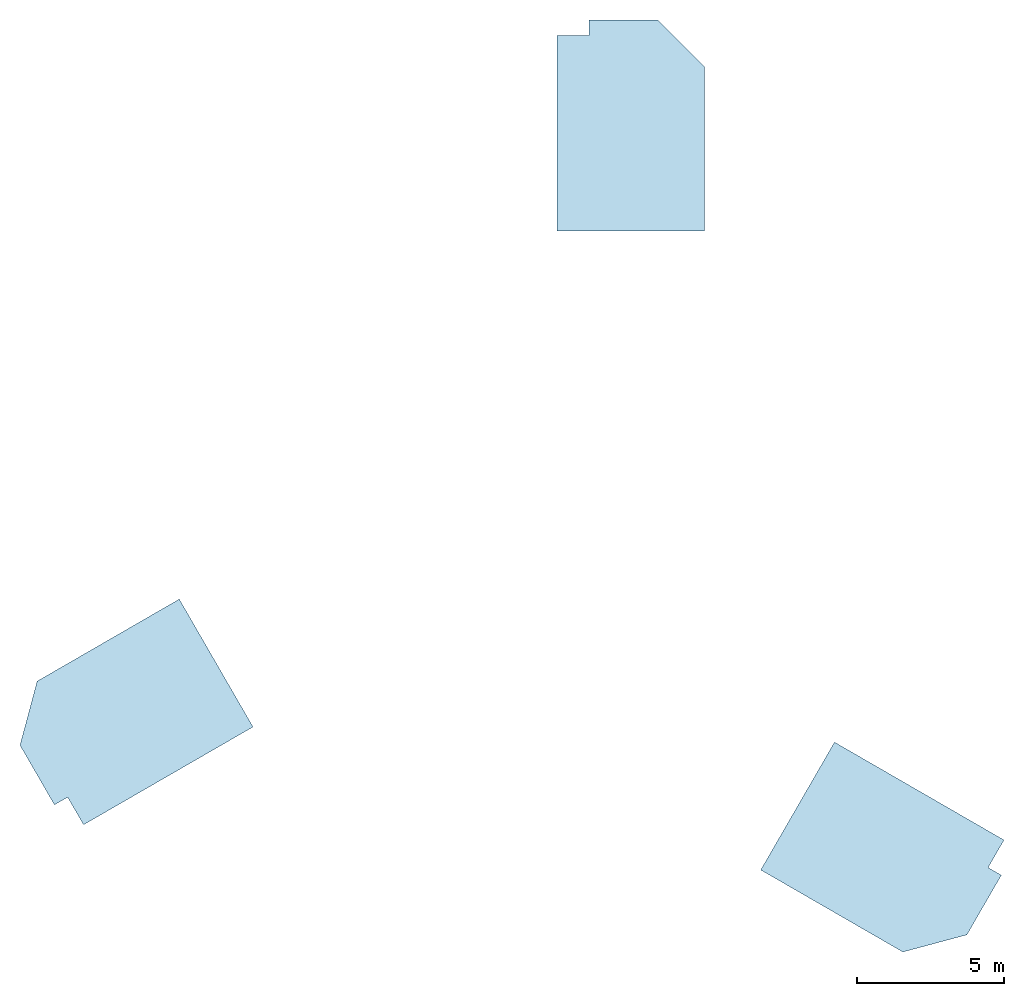
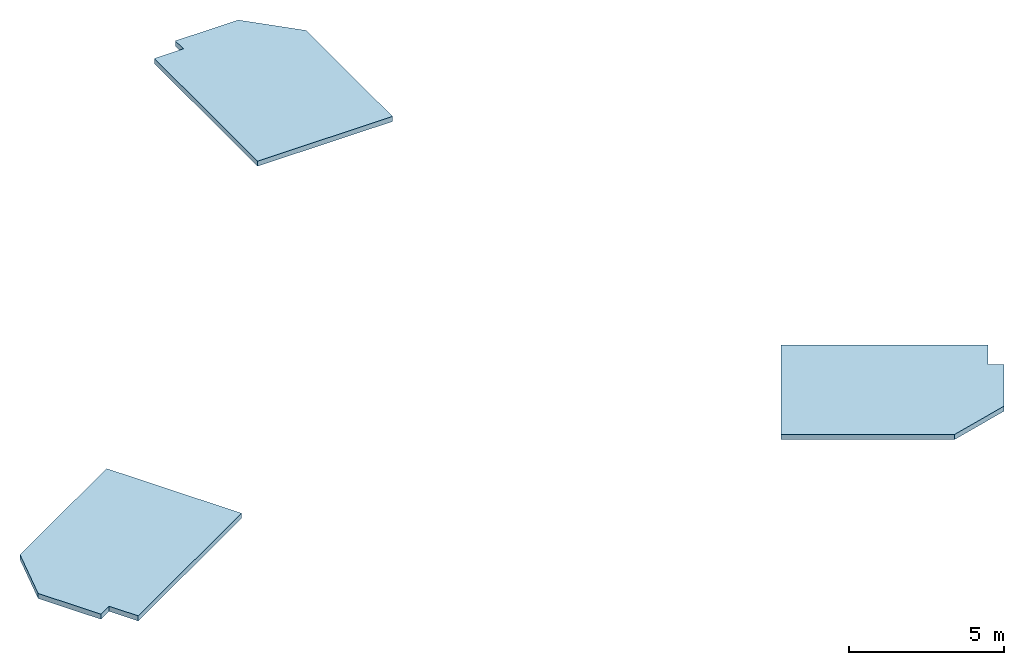
# One storey: 3 slabs.
"""IFC4 building model written with IfcOpenShell, lengths in metres."""

from ifc_helpers import new_model, si_unit, direction, frame, origin, place, context, subcontext, project, spatial, polyline, outline, extrude, material, layer, layer_set, type_object, element, save


model = new_model("IFC4")

# Units and contexts
model_context = context("Model", 3, precision=1e-05, world=origin(), true_north=direction((0.0, 1.0)))
body_context = subcontext(model_context, "Body", "Model", "MODEL_VIEW")
ifc_project = project(units=[si_unit("LENGTHUNIT", "METRE"), si_unit("AREAUNIT", "SQUARE_METRE"), si_unit("VOLUMEUNIT", "CUBIC_METRE"), si_unit("PLANEANGLEUNIT", "RADIAN"), si_unit("MASSUNIT", "GRAM", prefix="KILO")], contexts=[model_context])

# Site, building, storey
site_placement = place(None, origin())
site = spatial("IfcSite", under=ifc_project, at=site_placement, CompositionType="ELEMENT")
building_placement = place(site_placement, origin())
building = spatial("IfcBuilding", under=site, at=building_placement, Name="Noor Cloister Tower", CompositionType="ELEMENT")
storey_placement = place(building_placement, frame((0.0, 0.0, 309.5)))
storey = spatial("IfcBuildingStorey", under=building, at=storey_placement, Name="Upper roof", CompositionType="ELEMENT", Elevation=309.5)

# Slabs
ifc_material = material(Name="Concrete C40/50", Category="concrete")
ifc_layer = layer(ifc_material, 0.199951171875)
ifc_layer_set = layer_set([ifc_layer], Name="Head-house roof slab 200 C40/50")
slab_type = type_object("IfcSlabType", Name="Head-house roof slab 200 C40/50", PredefinedType="ROOF", material=ifc_layer_set)
slab_1_placement = place(storey_placement, frame((0.0, 0.0, -0.199951171875)))
element("IfcSlab", 1, at=slab_1_placement, inside=storey, type_object=slab_type, Name="Stair head-house roof ST1", PredefinedType="ROOF", context=body_context, shape_type="SweptSolid", body=[
    extrude(outline(polyline([(1.385498046875, 18.135009765625), (0.300048828125, 18.135009765625), (0.300048828125, 11.456298828125), (1.385498046875, 11.456298828125), (1.585693359375, 11.456298828125), (5.335693359375, 11.456298828125), (5.335693359375, 17.056396484375), (3.735595703125, 18.656494140625), (1.385498046875, 18.656494140625), (1.385498046875, 18.135009765625)])), origin(), (0.0, 0.0, 1.0), 0.199951171875),
])
slab_2_placement = place(storey_placement, frame((0.0, 0.0, -0.199951171875)))
element("IfcSlab", 2, at=slab_2_placement, inside=storey, type_object=slab_type, Name="Stair head-house roof ST2", PredefinedType="ROOF", context=body_context, shape_type="SweptSolid", body=[
    extrude(outline(polyline([(-16.398193359375, -7.867431640625), (-15.85546875, -8.8076171875), (-10.071533203125, -5.468505859375), (-10.614501953125, -4.5283203125), (-12.58935546875, -1.107421875), (-17.439208984375, -3.907470703125), (-18.024658203125, -6.093017578125), (-16.849609375, -8.128173828125), (-16.398193359375, -7.867431640625)])), origin(), (0.0, 0.0, 1.0), 0.199951171875),
])
slab_3_placement = place(storey_placement, frame((0.0, 0.0, -0.199951171875)))
element("IfcSlab", 3, at=slab_3_placement, inside=storey, type_object=slab_type, Name="Stair head-house roof ST3", PredefinedType="ROOF", context=body_context, shape_type="SweptSolid", body=[
    extrude(outline(polyline([(15.0126953125, -10.267578125), (15.555419921875, -9.327392578125), (9.771484375, -5.988037109375), (9.128662109375, -7.101318359375), (9.128662109375, -7.101318359375), (7.253662109375, -10.34912109375), (12.103515625, -13.14892578125), (14.2890625, -12.5634765625), (15.464111328125, -10.5283203125), (15.0126953125, -10.267578125)])), origin(), (0.0, 0.0, 1.0), 0.199951171875),
])

save(model, "model.ifc")
